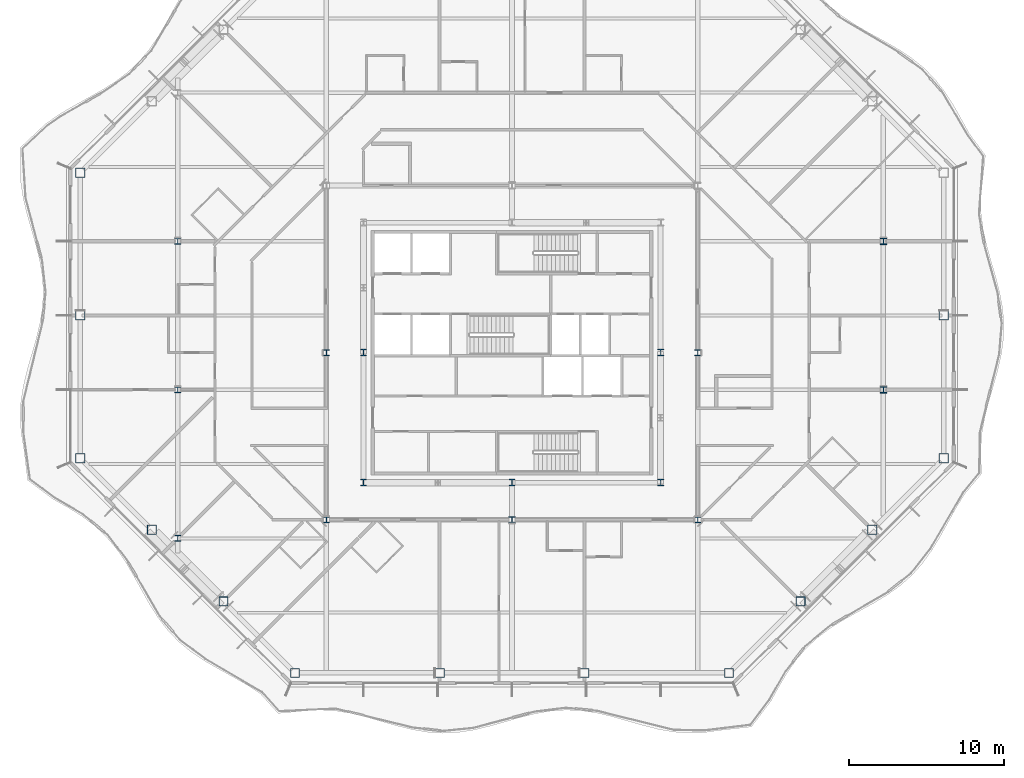
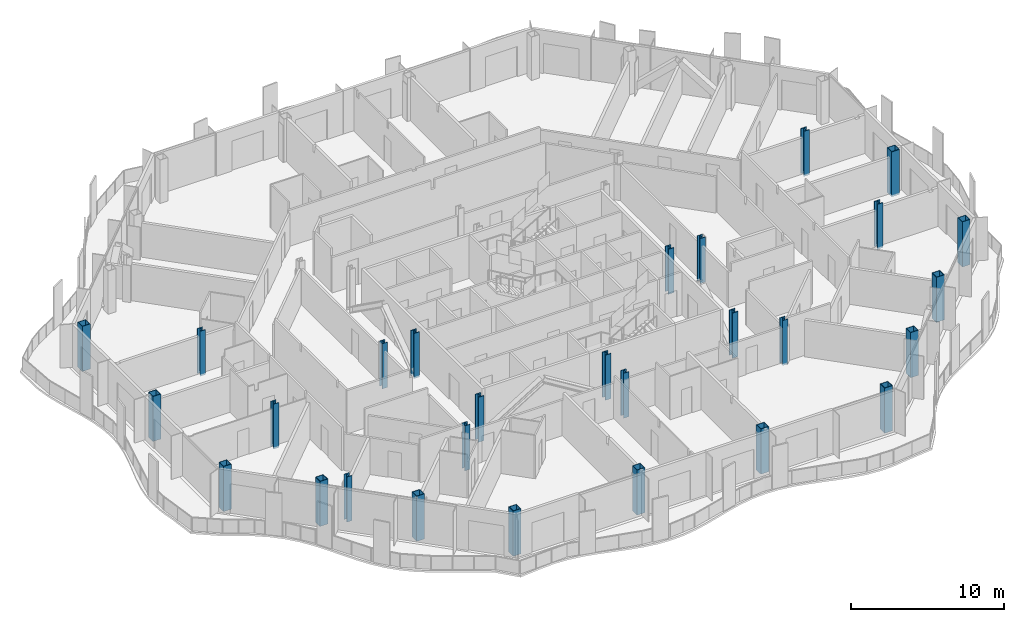
# One storey, part 1 of 21: 28 columns.
"""IFC4 building model written with IfcOpenShell, lengths in metres."""

from ifc_helpers import new_model, si_unit, direction, frame, origin, origin_2d, place, context, subcontext, project, spatial, hollow_rectangle, i_section, extrude, material, material_profile, profile_set, type_object, element, save


model = new_model("IFC4")

# Units and contexts
model_context = context("Model", 3, precision=1e-05, world=origin(), true_north=direction((0.0, 1.0)))
body_context = subcontext(model_context, "Body", "Model", "MODEL_VIEW")
ifc_project = project(units=[si_unit("LENGTHUNIT", "METRE"), si_unit("AREAUNIT", "SQUARE_METRE"), si_unit("VOLUMEUNIT", "CUBIC_METRE"), si_unit("PLANEANGLEUNIT", "RADIAN"), si_unit("MASSUNIT", "GRAM", prefix="KILO")], contexts=[model_context])

# Site, building, storey
site_placement = place(None, origin())
site = spatial("IfcSite", under=ifc_project, at=site_placement, CompositionType="ELEMENT")
building_placement = place(site_placement, origin())
building = spatial("IfcBuilding", under=site, at=building_placement, Name="Cairn Pilgrim Tower", CompositionType="ELEMENT")
storey_placement = place(building_placement, frame((0.0, 0.0, 150.60009765625)))
storey = spatial("IfcBuildingStorey", under=building, at=storey_placement, Name="L37", CompositionType="ELEMENT", Elevation=150.60009765625)

# Columns
ifc_material_1 = material(Name="Structural steel S460M", Category="steel")
ifc_material_profile_1 = material_profile(ifc_material_1, hollow_rectangle(XDim=0.60009765625, YDim=0.60009765625, WallThickness=0.034912109375, at=origin_2d()), Name="BOX 600x600x35")
ifc_profile_set_1 = profile_set([ifc_material_profile_1], Name="Structural steel S460M")
column_type_1 = type_object("IfcColumnType", Name="BOX 600x600x35", PredefinedType="COLUMN", material=ifc_profile_set_1)
for number, where, z_axis, x_axis, name in (
    (1, (-6.8271484375, -18.300048828125, -0.150146484375), (0.0, 0.0, 1.0), (1.0, 0.0, 0.0), "PC2-S1"),
    (2, (2.5244140625, -18.300048828125, -0.150146484375), (0.0, 0.0, 1.0), (1.0, 0.0, 0.0), "PC2-S2"),
    (3, (11.875732421875, -18.300048828125, -0.150146484375), (0.0, 0.0, 1.0), (1.0, 0.0, 0.0), "PC2-S3"),
    (4, (21.227294921875, -18.300048828125, -0.150146484375), (0.0, 0.0, 1.0), (1.0, 0.0, 0.0), "PC2-SE1"),
    (5, (25.8515625, -13.67578125, -0.150146484375), (0.0, 0.0, 1.0), (1.0, 0.0, 0.0), "PC2-SE2"),
    (6, (30.4755859375, -9.051513671875, -0.150146484375), (0.0, 0.0, 1.0), (1.0, 0.0, 0.0), "PC2-SE3"),
    (7, (35.10009765625, -4.42724609375, -0.150146484375), (0.0, 0.0, 1.0), (1.0, 0.0, 0.0), "PC2-E1"),
    (8, (35.10009765625, 4.800048828125, -0.150146484375), (0.0, 0.0, 1.0), (1.0, 0.0, 0.0), "PC2-E2"),
    (9, (-20.699951171875, 14.027099609375, -0.150146484375), (0.0, 0.0, 1.0), (1.0, 0.0, 0.0), "PC2-W1"),
    (10, (-20.699951171875, 4.800048828125, -0.150146484375), (0.0, 0.0, 1.0), (1.0, 0.0, 0.0), "PC2-W2"),
    (11, (-20.699951171875, -4.42724609375, -0.150146484375), (0.0, 0.0, 1.0), (1.0, 0.0, 0.0), "PC2-SW1"),
    (12, (-16.07568359375, -9.051513671875, -0.150146484375), (0.0, 0.0, 1.0), (1.0, 0.0, 0.0), "PC2-SW2"),
    (13, (-11.451416015625, -13.67578125, -0.150146484375), (0.0, 0.0, 1.0), (1.0, 0.0, 0.0), "PC2-SW3"),
):
    element("IfcColumn", number, at=place(storey_placement, frame(where, z_axis=z_axis, x_axis=x_axis)), inside=storey, type_object=column_type_1, Name=name, PredefinedType="COLUMN", context=body_context, shape_type="SweptSolid", body=[
        extrude(hollow_rectangle(XDim=0.60009765625, YDim=0.60009765625, WallThickness=0.034912109375, at=origin_2d()), origin(), (0.0, 0.0, 1.0), 3.60009765625),
    ])
ifc_material_2 = material(Name="Structural steel S355J2", Category="steel")
ifc_material_profile_2 = material_profile(ifc_material_2, i_section(OverallWidth=0.39892578125, OverallDepth=0.39306640625, WebThickness=0.022705078125, FlangeThickness=0.03662109375, FilletRadius=0.014892578125, at=origin_2d()), Name="HD 400x287")
ifc_profile_set_2 = profile_set([ifc_material_profile_2], Name="Structural steel S355J2")
column_type_2 = type_object("IfcColumnType", Name="HD 400x287", PredefinedType="COLUMN", material=ifc_profile_set_2)
for number, where, z_axis, x_axis, name in (
    (14, (-4.800048828125, -8.39990234375, -0.150146484375), (0.0, 0.0, 1.0), (1.0, 0.0, 0.0), "IC-1"),
    (15, (7.199951171875, -8.39990234375, -0.150146484375), (0.0, 0.0, 1.0), (1.0, 0.0, 0.0), "IC-2"),
    (16, (19.199951171875, -8.39990234375, -0.150146484375), (0.0, 0.0, 1.0), (1.0, 0.0, 0.0), "IC-3"),
    (17, (-4.800048828125, 2.39990234375, -0.150146484375), (0.0, 0.0, 1.0), (1.0, 0.0, 0.0), "IC-4"),
    (18, (19.199951171875, 2.39990234375, -0.150146484375), (0.0, 0.0, 1.0), (1.0, 0.0, 0.0), "IC-5"),
    (19, (-14.39990234375, -9.60009765625, -0.150146484375), (0.0, 0.0, 1.0), (1.0, 0.0, 0.0), "WC-WW-2"),
    (20, (-14.39990234375, 0.0, -0.150146484375), (0.0, 0.0, 1.0), (1.0, 0.0, 0.0), "WC-WW+0"),
    (21, (-14.39990234375, 9.60009765625, -0.150146484375), (0.0, 0.0, 1.0), (1.0, 0.0, 0.0), "WC-WW+2"),
):
    element("IfcColumn", number, at=place(storey_placement, frame(where, z_axis=z_axis, x_axis=x_axis)), inside=storey, type_object=column_type_2, Name=name, PredefinedType="COLUMN", context=body_context, shape_type="SweptSolid", body=[
        extrude(i_section(OverallWidth=0.39892578125, OverallDepth=0.39306640625, WebThickness=0.022705078125, FlangeThickness=0.03662109375, FilletRadius=0.014892578125, at=origin_2d()), origin(), (0.0, 0.0, 1.0), 3.60009765625),
    ])
ifc_material_profile_3 = material_profile(ifc_material_1, i_section(OverallWidth=0.408935546875, OverallDepth=0.425048828125, WebThickness=0.03271484375, FlangeThickness=0.052490234375, FilletRadius=0.014892578125, at=origin_2d()), Name="HD 400x421")
ifc_profile_set_3 = profile_set([ifc_material_profile_3], Name="Structural steel S460M")
column_type_3 = type_object("IfcColumnType", Name="HD 400x421", PredefinedType="COLUMN", material=ifc_profile_set_3)
for number, where, z_axis, x_axis, name in (
    (22, (31.199951171875, 0.0, -0.150146484375), (0.0, 0.0, 1.0), (1.0, 0.0, 0.0), "WC-WE+0"),
    (23, (31.199951171875, 9.60009765625, -0.150146484375), (0.0, 0.0, 1.0), (1.0, 0.0, 0.0), "WC-WE+2"),
):
    element("IfcColumn", number, at=place(storey_placement, frame(where, z_axis=z_axis, x_axis=x_axis)), inside=storey, type_object=column_type_3, Name=name, PredefinedType="COLUMN", context=body_context, shape_type="SweptSolid", body=[
        extrude(i_section(OverallWidth=0.408935546875, OverallDepth=0.425048828125, WebThickness=0.03271484375, FlangeThickness=0.052490234375, FilletRadius=0.014892578125, at=origin_2d()), origin(), (0.0, 0.0, 1.0), 3.60009765625),
    ])
ifc_material_profile_4 = material_profile(ifc_material_1, i_section(OverallWidth=0.416015625, OverallDepth=0.446044921875, WebThickness=0.0390625, FlangeThickness=0.062744140625, FilletRadius=0.014892578125, at=origin_2d()), Name="HD 400x509")
ifc_profile_set_4 = profile_set([ifc_material_profile_4], Name="Structural steel S460M")
column_type_4 = type_object("IfcColumnType", Name="HD 400x509", PredefinedType="COLUMN", material=ifc_profile_set_4)
for number, where, z_axis, x_axis, name in (
    (24, (-2.39990234375, -6.0, -0.150146484375), (0.0, 0.0, 1.0), (1.0, 0.0, 0.0), "KC-1"),
    (25, (7.199951171875, -6.0, -0.150146484375), (0.0, 0.0, 1.0), (1.0, 0.0, 0.0), "KC-2"),
    (26, (16.800048828125, -6.0, -0.150146484375), (0.0, 0.0, 1.0), (1.0, 0.0, 0.0), "KC-3"),
    (27, (-2.39990234375, 2.39990234375, -0.150146484375), (0.0, 0.0, 1.0), (1.0, 0.0, 0.0), "KC-4"),
    (28, (16.800048828125, 2.39990234375, -0.150146484375), (0.0, 0.0, 1.0), (1.0, 0.0, 0.0), "KC-5"),
):
    element("IfcColumn", number, at=place(storey_placement, frame(where, z_axis=z_axis, x_axis=x_axis)), inside=storey, type_object=column_type_4, Name=name, PredefinedType="COLUMN", context=body_context, shape_type="SweptSolid", body=[
        extrude(i_section(OverallWidth=0.416015625, OverallDepth=0.446044921875, WebThickness=0.0390625, FlangeThickness=0.062744140625, FilletRadius=0.014892578125, at=origin_2d()), origin(), (0.0, 0.0, 1.0), 3.60009765625),
    ])

save(model, "model.ifc")
